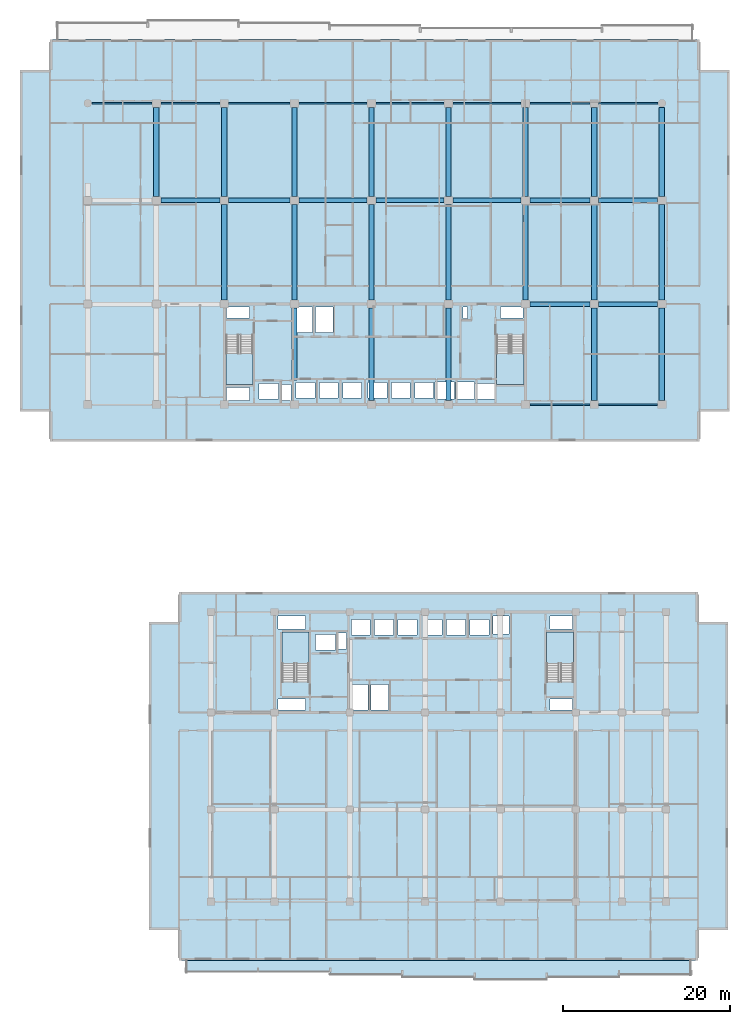
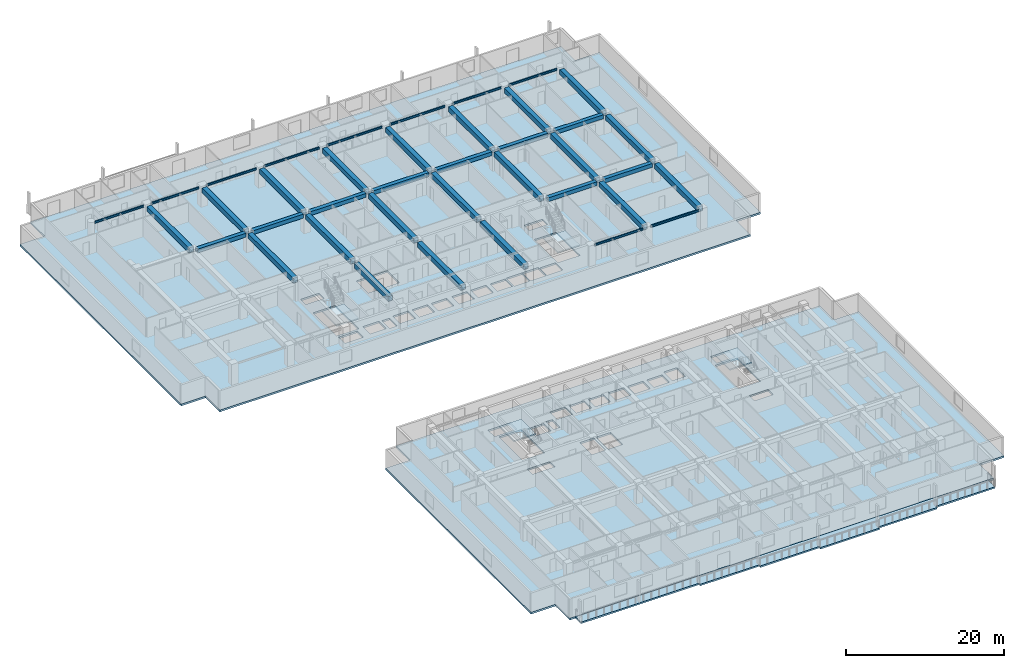
# One storey, part 2 of 23: 39 beams, 7 slabs, 4 elements without a shape of their own.
"""IFC4 building model written with IfcOpenShell, lengths in metres."""

import ifcopenshell
import ifcopenshell.guid

model = None  # the IFC model being written
_history = None  # IfcOwnerHistory: only IFC2X3 demands one
_inside = {}  # id of a spatial element -> (the spatial element, [elements in it])
_under = {}  # id of a project, library or spatial element -> (it, [spatial elements below it])
_declared = {}  # id of a project -> (the project, [libraries it declares])
_typed = {}  # id of a type object -> (the type object, [elements of that type])
_made_of = {}  # id of a material, layer set ... -> (it, [elements and type objects made of it])


def new_model(schema):
    """Start an empty IFC model of exactly this schema.

    Asked for "IFC4X3", IfcOpenShell would pick the latest addendum, in which some entities
    have other attributes; the version numbers below select the first issue.
    IFC2X3 requires an IfcOwnerHistory on every rooted entity: one is made here for all.
    """
    global model, _history
    if schema == "IFC4X3":
        model = ifcopenshell.file(schema_version=(4, 3, 0, 0))
    else:
        model = ifcopenshell.file(schema=schema)
    _inside.clear()
    _under.clear()
    _declared.clear()
    _typed.clear()
    _made_of.clear()
    _history = None
    if model.schema == "IFC2X3":
        org = make("IfcOrganization", Name="unknown")
        user = make(
            "IfcPersonAndOrganization",
            ThePerson=make("IfcPerson", FamilyName="unknown"),
            TheOrganization=org,
        )
        app = make(
            "IfcApplication",
            ApplicationDeveloper=org,
            Version="unknown",
            ApplicationFullName="unknown",
            ApplicationIdentifier="unknown",
        )
        _history = make(
            "IfcOwnerHistory",
            OwningUser=user,
            OwningApplication=app,
            ChangeAction="ADDED",
            CreationDate=0,
        )
    return model


def make(cls, **values):
    """One entity of the class cls with the attributes given. An attribute that is None is left unset."""
    return model.create_entity(
        cls, **{name: value for name, value in values.items() if value is not None}
    )


def rooted(cls, **values):
    """An entity with a GlobalId (a new one), such as an element, a storey or a relation."""
    return make(cls, GlobalId=ifcopenshell.guid.new(), OwnerHistory=_history, **values)


def si_unit(unit_type, name, prefix=None):
    """IfcSIUnit, for example si_unit("LENGTHUNIT", "METRE", prefix="MILLI")."""
    return make("IfcSIUnit", UnitType=unit_type, Prefix=prefix, Name=name)


def assignment(units):
    """IfcUnitAssignment: the units of a project."""
    return None if units is None else make("IfcUnitAssignment", Units=units)


def point(xyz):
    """IfcCartesianPoint."""
    return None if xyz is None else make("IfcCartesianPoint", Coordinates=xyz)


def direction(xyz):
    """IfcDirection."""
    return None if xyz is None else make("IfcDirection", DirectionRatios=xyz)


def frame(location, z_axis=None, x_axis=None):
    """IfcAxis2Placement3D, a coordinate frame: its origin and axes. An axis left out is left unset."""
    return make(
        "IfcAxis2Placement3D",
        Location=point(location),
        Axis=direction(z_axis),
        RefDirection=direction(x_axis),
    )


def frame_2d(location, x_axis=None):
    """IfcAxis2Placement2D, a coordinate frame in the plane: its origin and x axis."""
    return make(
        "IfcAxis2Placement2D", Location=point(location), RefDirection=direction(x_axis)
    )


def origin():
    """The frame at (0, 0, 0) with its axes left unset."""
    return frame((0.0, 0.0, 0.0))


def origin_2d():
    """The frame at (0, 0) in the plane with its x axis left unset."""
    return frame_2d((0.0, 0.0))


def place(relative_to, where):
    """IfcLocalPlacement: puts the frame where relative to a parent placement (None: the world)."""
    return make(
        "IfcLocalPlacement", PlacementRelTo=relative_to, RelativePlacement=where
    )


def context(
    kind, dimensions, precision=None, world=None, true_north=None, identifier=None
):
    """IfcGeometricRepresentationContext, for example the 3D "Model" context."""
    return make(
        "IfcGeometricRepresentationContext",
        ContextIdentifier=identifier,
        ContextType=kind,
        CoordinateSpaceDimension=dimensions,
        Precision=precision,
        WorldCoordinateSystem=world,
        TrueNorth=true_north,
    )


def subcontext(parent, identifier, kind, view, scale=None):
    """IfcGeometricRepresentationSubContext, for example "Body" below "Model"."""
    return make(
        "IfcGeometricRepresentationSubContext",
        ContextIdentifier=identifier,
        ContextType=kind,
        ParentContext=parent,
        TargetScale=scale,
        TargetView=view,
    )


def project(units=None, contexts=None):
    """IfcProject with its units and contexts."""
    return rooted(
        "IfcProject",
        Name="project",
        RepresentationContexts=contexts,
        UnitsInContext=assignment(units),
    )


def spatial(cls, under=None, at=None, **own):
    """A site, building, storey or space (cls), placed at a placement, below another one or the project."""
    s = rooted(cls, ObjectPlacement=at, **own)
    if under is not None:
        _under.setdefault(under.id(), (under, []))[1].append(s)
    return s


def polyline(points):
    """IfcPolyline through the points."""
    return make("IfcPolyline", Points=[point(p) for p in points])


def profile(cls, at=None, kind="AREA", **sizes):
    """A parametric profile (cls). Its sizes go by their IFC names, for example OverallWidth=200.0."""
    return make(cls, ProfileType=kind, Position=at, **sizes)


def rectangle(**sizes):
    """IfcRectangleProfileDef."""
    return profile("IfcRectangleProfileDef", **sizes)


def i_section(**sizes):
    """IfcIShapeProfileDef."""
    return profile("IfcIShapeProfileDef", **sizes)


def outline(outer, holes=None, kind="AREA"):
    """IfcArbitraryClosedProfileDef: a profile drawn as a closed curve; with holes, ...WithVoids."""
    if holes is None:
        return make("IfcArbitraryClosedProfileDef", ProfileType=kind, OuterCurve=outer)
    return make(
        "IfcArbitraryProfileDefWithVoids",
        ProfileType=kind,
        OuterCurve=outer,
        InnerCurves=holes,
    )


def extrude(swept, where, along, depth):
    """IfcExtrudedAreaSolid: the profile swept, set in the frame where, extruded along a direction by depth."""
    return make(
        "IfcExtrudedAreaSolid",
        SweptArea=swept,
        Position=where,
        ExtrudedDirection=direction(along),
        Depth=depth,
    )


def shape(context_of_items, identifier, shape_type, items):
    """IfcShapeRepresentation: the items that make up one representation, for example the "Body"."""
    return make(
        "IfcShapeRepresentation",
        ContextOfItems=context_of_items,
        RepresentationIdentifier=identifier,
        RepresentationType=shape_type,
        Items=items,
    )


def material(Name=None, Category=None):
    """IfcMaterial."""
    return make("IfcMaterial", Name=Name, Category=Category)


def layer(
    of_material, thickness, ventilated=None, Name=None, Category=None, Priority=None
):
    """IfcMaterialLayer: one layer of a wall or slab, of a material (None: an air gap)."""
    return make(
        "IfcMaterialLayer",
        Material=of_material,
        LayerThickness=thickness,
        IsVentilated=ventilated,
        Name=Name,
        Category=Category,
        Priority=Priority,
    )


def layer_set(layers, Name=None):
    """IfcMaterialLayerSet."""
    return make("IfcMaterialLayerSet", MaterialLayers=layers, LayerSetName=Name)


def material_profile(
    of_material, cross_section, Name=None, Category=None, Priority=None
):
    """IfcMaterialProfile: a cross section and its material."""
    return make(
        "IfcMaterialProfile",
        Name=Name,
        Material=of_material,
        Profile=cross_section,
        Priority=Priority,
        Category=Category,
    )


def profile_set(profiles, Name=None, composite=None):
    """IfcMaterialProfileSet."""
    return make(
        "IfcMaterialProfileSet",
        Name=Name,
        MaterialProfiles=profiles,
        CompositeProfile=composite,
    )


def made_of(thing, what):
    """Note that an element or type object is made of a material, layer set ...; save() writes the relation."""
    if what is not None:
        _made_of.setdefault(what.id(), (what, []))[1].append(thing)
    return thing


def type_object(cls, material=None, **own):
    """A type object (cls), such as IfcWallType, which elements share."""
    return made_of(rooted(cls, **own), material)


def element(
    cls,
    number,
    at=None,
    inside=None,
    cuts=None,
    type_object=None,
    material=None,
    context=None,
    identifier="Body",
    shape_type=None,
    held_by="IfcProductDefinitionShape",
    body=None,
    shapes=None,
    **own,
):
    """One element of the class cls, such as IfcWall. Its Tag is "e" and its number.

    at: its placement. inside: the storey or other place that contains it. cuts: it is an
    opening in that element (IfcRelVoidsElement). A single representation is given by context,
    identifier, shape_type and body (its items); several are given by shapes. held_by: the class
    of the entity that holds the representations. save() writes the other relations.
    """
    e = rooted(cls, Tag="e%d" % number, ObjectPlacement=at, **own)
    if body is not None:
        shapes = [shape(context, identifier, shape_type, body)]
    if shapes is not None:
        e.Representation = make(held_by, Representations=shapes)
    if inside is not None:
        _inside.setdefault(inside.id(), (inside, []))[1].append(e)
    if cuts is not None:
        rooted(
            "IfcRelVoidsElement", RelatingBuildingElement=cuts, RelatedOpeningElement=e
        )
    if type_object is not None:
        _typed.setdefault(type_object.id(), (type_object, []))[1].append(e)
    return made_of(e, material)


def aggregate(whole, parts):
    """IfcRelAggregates: a whole, such as a stair, and the parts it consists of."""
    return rooted("IfcRelAggregates", RelatingObject=whole, RelatedObjects=parts)


def save(model, path):
    """Write the relations noted so far, then the file.

    IfcRelAggregates (storeys below a building ...), IfcRelContainedInSpatialStructure (elements
    in a storey), IfcRelDefinesByType, IfcRelAssociatesMaterial and IfcRelDeclares: one each for
    every whole, place, type object, material and project.
    """
    for whole, parts in _under.values():
        aggregate(whole, parts)
    for where, things in _inside.values():
        rooted(
            "IfcRelContainedInSpatialStructure",
            RelatedElements=things,
            RelatingStructure=where,
        )
    for kind, things in _typed.values():
        rooted("IfcRelDefinesByType", RelatedObjects=things, RelatingType=kind)
    for what, things in _made_of.values():
        rooted("IfcRelAssociatesMaterial", RelatedObjects=things, RelatingMaterial=what)
    for by, libraries in _declared.values():
        rooted("IfcRelDeclares", RelatingContext=by, RelatedDefinitions=libraries)
    model.write(path)


model = new_model("IFC4")

# Units and contexts
model_context = context("Model", 3, precision=1e-05, world=origin(), true_north=direction((0.0, 1.0)))
body_context = subcontext(model_context, "Body", "Model", "MODEL_VIEW")
ifc_project = project(units=[si_unit("LENGTHUNIT", "METRE"), si_unit("AREAUNIT", "SQUARE_METRE"), si_unit("VOLUMEUNIT", "CUBIC_METRE"), si_unit("PLANEANGLEUNIT", "RADIAN"), si_unit("MASSUNIT", "GRAM", prefix="KILO")], contexts=[model_context])

# Site, building, storey
site_placement = place(None, origin())
site = spatial("IfcSite", under=ifc_project, at=site_placement, CompositionType="ELEMENT")
building_placement = place(site_placement, origin())
building = spatial("IfcBuilding", under=site, at=building_placement, Name="Korimba Cascade Residences", CompositionType="ELEMENT")
storey_placement = place(building_placement, frame((0.0, 0.0, 69.5)))
storey = spatial("IfcBuildingStorey", under=building, at=storey_placement, Name="L19", CompositionType="ELEMENT", Elevation=69.5)

# Beams
ifc_material_1 = material(Name="Concrete C50/60", Category="concrete")
ifc_material_profile_1 = material_profile(ifc_material_1, rectangle(XDim=0.550048828125, YDim=0.60009765625, at=origin_2d()), Name="Concrete C50/60")
ifc_profile_set_1 = profile_set([ifc_material_profile_1], Name="Concrete C50/60")
beam_type_1 = type_object("IfcBeamType", Name="BM-RC-B600", PredefinedType="BEAM", material=ifc_profile_set_1)
beam_1_placement = place(storey_placement, frame((112.625, 67.199951171875, 2.669921875), z_axis=(1.0, 0.0, 0.0), x_axis=(0.0, 1.0, 0.0)))
element("IfcBeam", 1, at=beam_1_placement, inside=storey, type_object=beam_type_1, Name="L19 T1 E-W Girder Y2 Bay 7", PredefinedType="BEAM", context=body_context, shape_type="SweptSolid", body=[
    extrude(rectangle(XDim=0.550048828125, YDim=0.60009765625, at=origin_2d()), origin(), (0.0, 0.0, 1.0), 7.14990234375),
])
for number, where, z_axis, x_axis, name in (
    (2, (120.824951171875, 67.199951171875, 2.669921875), (1.0, 0.0, 0.0), (0.0, 1.0, 0.0), "L19 T1 E-W Girder Y2 Bay 8"),
    (3, (68.52490234375, 79.60009765625, 2.669921875), (1.0, 0.0, 0.0), (0.0, 1.0, 0.0), "L19 T1 E-W Girder Y3 Bay 2"),
):
    element("IfcBeam", number, at=place(storey_placement, frame(where, z_axis=z_axis, x_axis=x_axis)), inside=storey, type_object=beam_type_1, Name=name, PredefinedType="BEAM", context=body_context, shape_type="SweptSolid", body=[
        extrude(rectangle(XDim=0.550048828125, YDim=0.60009765625, at=origin_2d()), origin(), (0.0, 0.0, 1.0), 7.050048828125),
    ])
beam_2_placement = place(storey_placement, frame((76.625, 79.60009765625, 2.669921875), z_axis=(1.0, 0.0, 0.0), x_axis=(0.0, 1.0, 0.0)))
element("IfcBeam", 4, at=beam_2_placement, inside=storey, type_object=beam_type_1, Name="L19 T1 E-W Girder Y3 Bay 3", PredefinedType="BEAM", context=body_context, shape_type="SweptSolid", body=[
    extrude(rectangle(XDim=0.550048828125, YDim=0.60009765625, at=origin_2d()), origin(), (0.0, 0.0, 1.0), 7.35009765625),
])
beam_3_placement = place(storey_placement, frame((85.02490234375, 79.60009765625, 2.669921875), z_axis=(1.0, 0.0, 0.0), x_axis=(0.0, 1.0, 0.0)))
element("IfcBeam", 5, at=beam_3_placement, inside=storey, type_object=beam_type_1, Name="L19 T1 E-W Girder Y3 Bay 4", PredefinedType="BEAM", context=body_context, shape_type="SweptSolid", body=[
    extrude(rectangle(XDim=0.550048828125, YDim=0.60009765625, at=origin_2d()), origin(), (0.0, 0.0, 1.0), 8.150146484375),
])
for number, where, z_axis, x_axis, name in (
    (6, (94.22509765625, 79.60009765625, 2.669921875), (1.0, 0.0, 0.0), (0.0, 1.0, 0.0), "L19 T1 E-W Girder Y3 Bay 5"),
    (7, (103.425048828125, 79.60009765625, 2.669921875), (1.0, 0.0, 0.0), (0.0, 1.0, 0.0), "L19 T1 E-W Girder Y3 Bay 6"),
):
    element("IfcBeam", number, at=place(storey_placement, frame(where, z_axis=z_axis, x_axis=x_axis)), inside=storey, type_object=beam_type_1, Name=name, PredefinedType="BEAM", context=body_context, shape_type="SweptSolid", body=[
        extrude(rectangle(XDim=0.550048828125, YDim=0.60009765625, at=origin_2d()), origin(), (0.0, 0.0, 1.0), 8.14990234375),
    ])
beam_4_placement = place(storey_placement, frame((112.625, 79.60009765625, 2.669921875), z_axis=(1.0, 0.0, 0.0), x_axis=(0.0, 1.0, 0.0)))
element("IfcBeam", 8, at=beam_4_placement, inside=storey, type_object=beam_type_1, Name="L19 T1 E-W Girder Y3 Bay 7", PredefinedType="BEAM", context=body_context, shape_type="SweptSolid", body=[
    extrude(rectangle(XDim=0.550048828125, YDim=0.60009765625, at=origin_2d()), origin(), (0.0, 0.0, 1.0), 7.14990234375),
])
beam_5_placement = place(storey_placement, frame((120.824951171875, 79.60009765625, 2.669921875), z_axis=(1.0, 0.0, 0.0), x_axis=(0.0, 1.0, 0.0)))
element("IfcBeam", 9, at=beam_5_placement, inside=storey, type_object=beam_type_1, Name="L19 T1 E-W Girder Y3 Bay 8", PredefinedType="BEAM", context=body_context, shape_type="SweptSolid", body=[
    extrude(rectangle(XDim=0.550048828125, YDim=0.60009765625, at=origin_2d()), origin(), (0.0, 0.0, 1.0), 7.050048828125),
])
ifc_material_profile_2 = material_profile(ifc_material_1, rectangle(XDim=0.64990234375, YDim=0.75, at=origin_2d()), Name="Concrete C50/60")
ifc_profile_set_2 = profile_set([ifc_material_profile_2], Name="Concrete C50/60")
beam_type_2 = type_object("IfcBeamType", Name="BM-RC-G750", PredefinedType="BEAM", material=ifc_profile_set_2)
beam_6_placement = place(storey_placement, frame((68.0, 80.074951171875, 2.594970703125), z_axis=(0.0, 1.0, 0.0), x_axis=(-1.0, 0.0, 0.0)))
element("IfcBeam", 10, at=beam_6_placement, inside=storey, type_object=beam_type_2, Name="L19 T1 N-S Girder X2 Seg 3", PredefinedType="BEAM", context=body_context, shape_type="SweptSolid", body=[
    extrude(rectangle(XDim=0.64990234375, YDim=0.75, at=origin_2d()), origin(), (0.0, 0.0, 1.0), 10.650146484375),
])
beam_7_placement = place(storey_placement, frame((76.10009765625, 67.675048828125, 2.594970703125), z_axis=(0.0, 1.0, 0.0), x_axis=(-1.0, 0.0, 0.0)))
element("IfcBeam", 11, at=beam_7_placement, inside=storey, type_object=beam_type_2, Name="L19 T1 N-S Girder X3 Seg 2", PredefinedType="BEAM", context=body_context, shape_type="SweptSolid", body=[
    extrude(rectangle(XDim=0.64990234375, YDim=0.75, at=origin_2d()), origin(), (0.0, 0.0, 1.0), 11.449951171875),
])
beam_8_placement = place(storey_placement, frame((76.10009765625, 80.074951171875, 2.594970703125), z_axis=(0.0, 1.0, 0.0), x_axis=(-1.0, 0.0, 0.0)))
element("IfcBeam", 12, at=beam_8_placement, inside=storey, type_object=beam_type_2, Name="L19 T1 N-S Girder X3 Seg 3", PredefinedType="BEAM", context=body_context, shape_type="SweptSolid", body=[
    extrude(rectangle(XDim=0.64990234375, YDim=0.75, at=origin_2d()), origin(), (0.0, 0.0, 1.0), 10.650146484375),
])
beam_9_placement = place(storey_placement, frame((84.5, 58.159912109375, 2.594970703125), z_axis=(0.0, 1.0, 0.0), x_axis=(-1.0, 0.0, 0.0)))
element("IfcBeam", 13, at=beam_9_placement, inside=storey, type_object=beam_type_2, Name="L19 T1 N-S Girder X4 Seg 1", PredefinedType="BEAM", context=body_context, shape_type="SweptSolid", body=[
    extrude(rectangle(XDim=0.64990234375, YDim=0.75, at=origin_2d()), origin(), (0.0, 0.0, 1.0), 8.565185546875),
])
beam_10_placement = place(storey_placement, frame((84.5, 67.675048828125, 2.594970703125), z_axis=(0.0, 1.0, 0.0), x_axis=(-1.0, 0.0, 0.0)))
element("IfcBeam", 14, at=beam_10_placement, inside=storey, type_object=beam_type_2, Name="L19 T1 N-S Girder X4 Seg 2", PredefinedType="BEAM", context=body_context, shape_type="SweptSolid", body=[
    extrude(rectangle(XDim=0.64990234375, YDim=0.75, at=origin_2d()), origin(), (0.0, 0.0, 1.0), 11.449951171875),
])
beam_11_placement = place(storey_placement, frame((84.5, 80.074951171875, 2.594970703125), z_axis=(0.0, 1.0, 0.0), x_axis=(-1.0, 0.0, 0.0)))
element("IfcBeam", 15, at=beam_11_placement, inside=storey, type_object=beam_type_2, Name="L19 T1 N-S Girder X4 Seg 3", PredefinedType="BEAM", context=body_context, shape_type="SweptSolid", body=[
    extrude(rectangle(XDim=0.64990234375, YDim=0.75, at=origin_2d()), origin(), (0.0, 0.0, 1.0), 10.650146484375),
])
beam_12_placement = place(storey_placement, frame((93.699951171875, 55.675048828125, 2.594970703125), z_axis=(0.0, 1.0, 0.0), x_axis=(-1.0, 0.0, 0.0)))
element("IfcBeam", 16, at=beam_12_placement, inside=storey, type_object=beam_type_2, Name="L19 T1 N-S Girder X5 Seg 1", PredefinedType="BEAM", context=body_context, shape_type="SweptSolid", body=[
    extrude(rectangle(XDim=0.64990234375, YDim=0.75, at=origin_2d()), origin(), (0.0, 0.0, 1.0), 11.050048828125),
])
beam_13_placement = place(storey_placement, frame((93.699951171875, 67.675048828125, 2.594970703125), z_axis=(0.0, 1.0, 0.0), x_axis=(-1.0, 0.0, 0.0)))
element("IfcBeam", 17, at=beam_13_placement, inside=storey, type_object=beam_type_2, Name="L19 T1 N-S Girder X5 Seg 2", PredefinedType="BEAM", context=body_context, shape_type="SweptSolid", body=[
    extrude(rectangle(XDim=0.64990234375, YDim=0.75, at=origin_2d()), origin(), (0.0, 0.0, 1.0), 11.449951171875),
])
beam_14_placement = place(storey_placement, frame((93.699951171875, 80.074951171875, 2.594970703125), z_axis=(0.0, 1.0, 0.0), x_axis=(-1.0, 0.0, 0.0)))
element("IfcBeam", 18, at=beam_14_placement, inside=storey, type_object=beam_type_2, Name="L19 T1 N-S Girder X5 Seg 3", PredefinedType="BEAM", context=body_context, shape_type="SweptSolid", body=[
    extrude(rectangle(XDim=0.64990234375, YDim=0.75, at=origin_2d()), origin(), (0.0, 0.0, 1.0), 10.650146484375),
])
beam_15_placement = place(storey_placement, frame((102.89990234375, 55.675048828125, 2.594970703125), z_axis=(0.0, 1.0, 0.0), x_axis=(-1.0, 0.0, 0.0)))
element("IfcBeam", 19, at=beam_15_placement, inside=storey, type_object=beam_type_2, Name="L19 T1 N-S Girder X6 Seg 1", PredefinedType="BEAM", context=body_context, shape_type="SweptSolid", body=[
    extrude(rectangle(XDim=0.64990234375, YDim=0.75, at=origin_2d()), origin(), (0.0, 0.0, 1.0), 11.050048828125),
])
beam_16_placement = place(storey_placement, frame((102.89990234375, 67.675048828125, 2.594970703125), z_axis=(0.0, 1.0, 0.0), x_axis=(-1.0, 0.0, 0.0)))
element("IfcBeam", 20, at=beam_16_placement, inside=storey, type_object=beam_type_2, Name="L19 T1 N-S Girder X6 Seg 2", PredefinedType="BEAM", context=body_context, shape_type="SweptSolid", body=[
    extrude(rectangle(XDim=0.64990234375, YDim=0.75, at=origin_2d()), origin(), (0.0, 0.0, 1.0), 11.449951171875),
])
beam_17_placement = place(storey_placement, frame((102.89990234375, 80.074951171875, 2.594970703125), z_axis=(0.0, 1.0, 0.0), x_axis=(-1.0, 0.0, 0.0)))
element("IfcBeam", 21, at=beam_17_placement, inside=storey, type_object=beam_type_2, Name="L19 T1 N-S Girder X6 Seg 3", PredefinedType="BEAM", context=body_context, shape_type="SweptSolid", body=[
    extrude(rectangle(XDim=0.64990234375, YDim=0.75, at=origin_2d()), origin(), (0.0, 0.0, 1.0), 10.650146484375),
])
beam_18_placement = place(storey_placement, frame((112.10009765625, 67.675048828125, 2.594970703125), z_axis=(0.0, 1.0, 0.0), x_axis=(-1.0, 0.0, 0.0)))
element("IfcBeam", 22, at=beam_18_placement, inside=storey, type_object=beam_type_2, Name="L19 T1 N-S Girder X7 Seg 2", PredefinedType="BEAM", context=body_context, shape_type="SweptSolid", body=[
    extrude(rectangle(XDim=0.64990234375, YDim=0.75, at=origin_2d()), origin(), (0.0, 0.0, 1.0), 11.449951171875),
])
beam_19_placement = place(storey_placement, frame((112.10009765625, 80.074951171875, 2.594970703125), z_axis=(0.0, 1.0, 0.0), x_axis=(-1.0, 0.0, 0.0)))
element("IfcBeam", 23, at=beam_19_placement, inside=storey, type_object=beam_type_2, Name="L19 T1 N-S Girder X7 Seg 3", PredefinedType="BEAM", context=body_context, shape_type="SweptSolid", body=[
    extrude(rectangle(XDim=0.64990234375, YDim=0.75, at=origin_2d()), origin(), (0.0, 0.0, 1.0), 10.650146484375),
])
beam_20_placement = place(storey_placement, frame((120.300048828125, 55.675048828125, 2.594970703125), z_axis=(0.0, 1.0, 0.0), x_axis=(-1.0, 0.0, 0.0)))
element("IfcBeam", 24, at=beam_20_placement, inside=storey, type_object=beam_type_2, Name="L19 T1 N-S Girder X8 Seg 1", PredefinedType="BEAM", context=body_context, shape_type="SweptSolid", body=[
    extrude(rectangle(XDim=0.64990234375, YDim=0.75, at=origin_2d()), origin(), (0.0, 0.0, 1.0), 11.050048828125),
])
beam_21_placement = place(storey_placement, frame((120.300048828125, 67.675048828125, 2.594970703125), z_axis=(0.0, 1.0, 0.0), x_axis=(-1.0, 0.0, 0.0)))
element("IfcBeam", 25, at=beam_21_placement, inside=storey, type_object=beam_type_2, Name="L19 T1 N-S Girder X8 Seg 2", PredefinedType="BEAM", context=body_context, shape_type="SweptSolid", body=[
    extrude(rectangle(XDim=0.64990234375, YDim=0.75, at=origin_2d()), origin(), (0.0, 0.0, 1.0), 11.449951171875),
])
beam_22_placement = place(storey_placement, frame((120.300048828125, 80.074951171875, 2.594970703125), z_axis=(0.0, 1.0, 0.0), x_axis=(-1.0, 0.0, 0.0)))
element("IfcBeam", 26, at=beam_22_placement, inside=storey, type_object=beam_type_2, Name="L19 T1 N-S Girder X8 Seg 3", PredefinedType="BEAM", context=body_context, shape_type="SweptSolid", body=[
    extrude(rectangle(XDim=0.64990234375, YDim=0.75, at=origin_2d()), origin(), (0.0, 0.0, 1.0), 10.650146484375),
])
beam_23_placement = place(storey_placement, frame((128.39990234375, 55.675048828125, 2.594970703125), z_axis=(0.0, 1.0, 0.0), x_axis=(-1.0, 0.0, 0.0)))
element("IfcBeam", 27, at=beam_23_placement, inside=storey, type_object=beam_type_2, Name="L19 T1 N-S Girder X9 Seg 1", PredefinedType="BEAM", context=body_context, shape_type="SweptSolid", body=[
    extrude(rectangle(XDim=0.64990234375, YDim=0.75, at=origin_2d()), origin(), (0.0, 0.0, 1.0), 11.050048828125),
])
beam_24_placement = place(storey_placement, frame((128.39990234375, 67.675048828125, 2.594970703125), z_axis=(0.0, 1.0, 0.0), x_axis=(-1.0, 0.0, 0.0)))
element("IfcBeam", 28, at=beam_24_placement, inside=storey, type_object=beam_type_2, Name="L19 T1 N-S Girder X9 Seg 2", PredefinedType="BEAM", context=body_context, shape_type="SweptSolid", body=[
    extrude(rectangle(XDim=0.64990234375, YDim=0.75, at=origin_2d()), origin(), (0.0, 0.0, 1.0), 11.449951171875),
])
beam_25_placement = place(storey_placement, frame((128.39990234375, 80.074951171875, 2.594970703125), z_axis=(0.0, 1.0, 0.0), x_axis=(-1.0, 0.0, 0.0)))
element("IfcBeam", 29, at=beam_25_placement, inside=storey, type_object=beam_type_2, Name="L19 T1 N-S Girder X9 Seg 3", PredefinedType="BEAM", context=body_context, shape_type="SweptSolid", body=[
    extrude(rectangle(XDim=0.64990234375, YDim=0.75, at=origin_2d()), origin(), (0.0, 0.0, 1.0), 10.650146484375),
])
ifc_material_2 = material(Name="Steel S355", Category="steel")
ifc_material_profile_3 = material_profile(ifc_material_2, i_section(OverallWidth=0.165771484375, OverallDepth=0.306640625, WebThickness=0.006591796875, FlangeThickness=0.01171875, FilletRadius=0.0087890625, at=origin_2d()), Name="Steel S355")
ifc_profile_set_3 = profile_set([ifc_material_profile_3], Name="Steel S355")
beam_type_3 = type_object("IfcBeamType", Name="BM-STL-UB305", PredefinedType="SPANDREL", material=ifc_profile_set_3)
beam_26_placement = place(storey_placement, frame((112.625, 55.199951171875, 2.816650390625), z_axis=(1.0, 0.0, 0.0), x_axis=(0.0, 1.0, 0.0)))
element("IfcBeam", 30, at=beam_26_placement, inside=storey, type_object=beam_type_3, Name="L19 T1 E-W Girder Y1 Bay 7", PredefinedType="SPANDREL", context=body_context, shape_type="SweptSolid", body=[
    extrude(i_section(OverallWidth=0.165771484375, OverallDepth=0.306640625, WebThickness=0.006591796875, FlangeThickness=0.01171875, FilletRadius=0.0087890625, at=origin_2d()), origin(), (0.0, 0.0, 1.0), 7.14990234375),
])
beam_27_placement = place(storey_placement, frame((120.824951171875, 55.199951171875, 2.816650390625), z_axis=(1.0, 0.0, 0.0), x_axis=(0.0, 1.0, 0.0)))
element("IfcBeam", 31, at=beam_27_placement, inside=storey, type_object=beam_type_3, Name="L19 T1 E-W Girder Y1 Bay 8", PredefinedType="SPANDREL", context=body_context, shape_type="SweptSolid", body=[
    extrude(i_section(OverallWidth=0.165771484375, OverallDepth=0.306640625, WebThickness=0.006591796875, FlangeThickness=0.01171875, FilletRadius=0.0087890625, at=origin_2d()), origin(), (0.0, 0.0, 1.0), 7.050048828125),
])
beam_28_placement = place(storey_placement, frame((60.27490234375, 91.199951171875, 2.816650390625), z_axis=(1.0, 0.0, 0.0), x_axis=(0.0, 1.0, 0.0)))
element("IfcBeam", 32, at=beam_28_placement, inside=storey, type_object=beam_type_3, Name="L19 T1 E-W Girder Y4 Bay 1", PredefinedType="SPANDREL", context=body_context, shape_type="SweptSolid", body=[
    extrude(i_section(OverallWidth=0.165771484375, OverallDepth=0.306640625, WebThickness=0.006591796875, FlangeThickness=0.01171875, FilletRadius=0.0087890625, at=origin_2d()), origin(), (0.0, 0.0, 1.0), 7.2001953125),
])
beam_29_placement = place(storey_placement, frame((68.52490234375, 91.199951171875, 2.816650390625), z_axis=(1.0, 0.0, 0.0), x_axis=(0.0, 1.0, 0.0)))
element("IfcBeam", 33, at=beam_29_placement, inside=storey, type_object=beam_type_3, Name="L19 T1 E-W Girder Y4 Bay 2", PredefinedType="SPANDREL", context=body_context, shape_type="SweptSolid", body=[
    extrude(i_section(OverallWidth=0.165771484375, OverallDepth=0.306640625, WebThickness=0.006591796875, FlangeThickness=0.01171875, FilletRadius=0.0087890625, at=origin_2d()), origin(), (0.0, 0.0, 1.0), 7.050048828125),
])
beam_30_placement = place(storey_placement, frame((76.625, 91.199951171875, 2.816650390625), z_axis=(1.0, 0.0, 0.0), x_axis=(0.0, 1.0, 0.0)))
element("IfcBeam", 34, at=beam_30_placement, inside=storey, type_object=beam_type_3, Name="L19 T1 E-W Girder Y4 Bay 3", PredefinedType="SPANDREL", context=body_context, shape_type="SweptSolid", body=[
    extrude(i_section(OverallWidth=0.165771484375, OverallDepth=0.306640625, WebThickness=0.006591796875, FlangeThickness=0.01171875, FilletRadius=0.0087890625, at=origin_2d()), origin(), (0.0, 0.0, 1.0), 7.35009765625),
])
beam_31_placement = place(storey_placement, frame((85.02490234375, 91.199951171875, 2.816650390625), z_axis=(1.0, 0.0, 0.0), x_axis=(0.0, 1.0, 0.0)))
element("IfcBeam", 35, at=beam_31_placement, inside=storey, type_object=beam_type_3, Name="L19 T1 E-W Girder Y4 Bay 4", PredefinedType="SPANDREL", context=body_context, shape_type="SweptSolid", body=[
    extrude(i_section(OverallWidth=0.165771484375, OverallDepth=0.306640625, WebThickness=0.006591796875, FlangeThickness=0.01171875, FilletRadius=0.0087890625, at=origin_2d()), origin(), (0.0, 0.0, 1.0), 8.150146484375),
])
for number, where, z_axis, x_axis, name in (
    (36, (94.22509765625, 91.199951171875, 2.816650390625), (1.0, 0.0, 0.0), (0.0, 1.0, 0.0), "L19 T1 E-W Girder Y4 Bay 5"),
    (37, (103.425048828125, 91.199951171875, 2.816650390625), (1.0, 0.0, 0.0), (0.0, 1.0, 0.0), "L19 T1 E-W Girder Y4 Bay 6"),
):
    element("IfcBeam", number, at=place(storey_placement, frame(where, z_axis=z_axis, x_axis=x_axis)), inside=storey, type_object=beam_type_3, Name=name, PredefinedType="SPANDREL", context=body_context, shape_type="SweptSolid", body=[
        extrude(i_section(OverallWidth=0.165771484375, OverallDepth=0.306640625, WebThickness=0.006591796875, FlangeThickness=0.01171875, FilletRadius=0.0087890625, at=origin_2d()), origin(), (0.0, 0.0, 1.0), 8.14990234375),
    ])
beam_32_placement = place(storey_placement, frame((112.625, 91.199951171875, 2.816650390625), z_axis=(1.0, 0.0, 0.0), x_axis=(0.0, 1.0, 0.0)))
element("IfcBeam", 38, at=beam_32_placement, inside=storey, type_object=beam_type_3, Name="L19 T1 E-W Girder Y4 Bay 7", PredefinedType="SPANDREL", context=body_context, shape_type="SweptSolid", body=[
    extrude(i_section(OverallWidth=0.165771484375, OverallDepth=0.306640625, WebThickness=0.006591796875, FlangeThickness=0.01171875, FilletRadius=0.0087890625, at=origin_2d()), origin(), (0.0, 0.0, 1.0), 7.14990234375),
])
beam_33_placement = place(storey_placement, frame((120.824951171875, 91.199951171875, 2.816650390625), z_axis=(1.0, 0.0, 0.0), x_axis=(0.0, 1.0, 0.0)))
element("IfcBeam", 39, at=beam_33_placement, inside=storey, type_object=beam_type_3, Name="L19 T1 E-W Girder Y4 Bay 8", PredefinedType="SPANDREL", context=body_context, shape_type="SweptSolid", body=[
    extrude(i_section(OverallWidth=0.165771484375, OverallDepth=0.306640625, WebThickness=0.006591796875, FlangeThickness=0.01171875, FilletRadius=0.0087890625, at=origin_2d()), origin(), (0.0, 0.0, 1.0), 7.10009765625),
])

# Stair, slab
stair_type_1 = type_object("IfcStairType", Name="STR-W1-18R-1806", PredefinedType="HALF_TURN_STAIR", material=ifc_material_1)
stair_1_placement = place(storey_placement, origin())
stair_1 = element("IfcStair", 40, at=stair_1_placement, inside=storey, type_object=stair_type_1, Name="L19 Tower 1 West Fire Stair ST-W1", PredefinedType="HALF_TURN_STAIR")
ifc_layer_1 = layer(ifc_material_1, 0.199951171875)
ifc_layer_set_1 = layer_set([ifc_layer_1], Name="Concrete C50/60")
slab_type_1 = type_object("IfcSlabType", Name="SLB-LND-220", PredefinedType="LANDING", material=ifc_layer_set_1)
slab_1_placement = place(storey_placement, frame((0.0, 0.0, 1.425048828125)))
slab_1 = element("IfcSlab", 41, at=slab_1_placement, type_object=slab_type_1, Name="ST-W1 landing 1", PredefinedType="LANDING", context=body_context, shape_type="SweptSolid", body=[
    extrude(outline(polyline([(76.300048828125, 61.31005859375), (76.300048828125, 57.60009765625), (79.5400390625, 57.60009765625), (79.5400390625, 61.31005859375), (76.300048828125, 61.31005859375)])), origin(), (0.0, 0.0, 1.0), 0.199951171875),
])
aggregate(stair_1, [slab_1])

stair_type_2 = type_object("IfcStairType", Name="STR-W2-18R-1806", PredefinedType="HALF_TURN_STAIR", material=ifc_material_1)
stair_2_placement = place(storey_placement, origin())
stair_2 = element("IfcStair", 42, at=stair_2_placement, inside=storey, type_object=stair_type_2, Name="L19 Tower 1 East Fire Stair ST-W2", PredefinedType="HALF_TURN_STAIR")
slab_2_placement = place(storey_placement, frame((0.0, 0.0, 1.425048828125)))
slab_2 = element("IfcSlab", 43, at=slab_2_placement, type_object=slab_type_1, Name="ST-W2 landing 1", PredefinedType="LANDING", context=body_context, shape_type="SweptSolid", body=[
    extrude(outline(polyline([(108.659912109375, 61.31005859375), (108.659912109375, 57.60009765625), (111.89990234375, 57.60009765625), (111.89990234375, 61.31005859375), (108.659912109375, 61.31005859375)])), origin(), (0.0, 0.0, 1.0), 0.199951171875),
])
aggregate(stair_2, [slab_2])

stair_type_3 = type_object("IfcStairType", Name="STR-E1-18R-1806", PredefinedType="HALF_TURN_STAIR", material=ifc_material_1)
stair_3_placement = place(storey_placement, origin())
stair_3 = element("IfcStair", 44, at=stair_3_placement, inside=storey, type_object=stair_type_3, Name="L19 Tower 2 West Fire Stair ST-E1", PredefinedType="HALF_TURN_STAIR")
slab_3_placement = place(storey_placement, frame((0.0, 0.0, 1.425048828125)))
slab_3 = element("IfcSlab", 45, at=slab_3_placement, type_object=slab_type_1, Name="ST-E1 landing 1", PredefinedType="LANDING", context=body_context, shape_type="SweptSolid", body=[
    extrude(outline(polyline([(86.239990234375, 24.2900390625), (86.239990234375, 28.0), (83.0, 28.0), (83.0, 24.2900390625), (86.239990234375, 24.2900390625)])), origin(), (0.0, 0.0, 1.0), 0.199951171875),
])
aggregate(stair_3, [slab_3])

stair_type_4 = type_object("IfcStairType", Name="STR-E2-18R-1806", PredefinedType="HALF_TURN_STAIR", material=ifc_material_1)
stair_4_placement = place(storey_placement, origin())
stair_4 = element("IfcStair", 46, at=stair_4_placement, inside=storey, type_object=stair_type_4, Name="L19 Tower 2 East Fire Stair ST-E2", PredefinedType="HALF_TURN_STAIR")
slab_4_placement = place(storey_placement, frame((0.0, 0.0, 1.425048828125)))
slab_4 = element("IfcSlab", 47, at=slab_4_placement, type_object=slab_type_1, Name="ST-E2 landing 1", PredefinedType="LANDING", context=body_context, shape_type="SweptSolid", body=[
    extrude(outline(polyline([(117.840087890625, 24.2900390625), (117.840087890625, 28.0), (114.60009765625, 28.0), (114.60009765625, 24.2900390625), (117.840087890625, 24.2900390625)])), origin(), (0.0, 0.0, 1.0), 0.199951171875),
])
aggregate(stair_4, [slab_4])

# Slabs
ifc_material_3 = material(Name="Precast concrete C40/50", Category="concrete")
ifc_layer_2 = layer(ifc_material_3, 0.239990234375)
ifc_layer_set_2 = layer_set([ifc_layer_2], Name="Precast concrete C40/50")
slab_type_2 = type_object("IfcSlabType", Name="SLB-LOG-240", PredefinedType="FLOOR", material=ifc_layer_set_2)
slab_5_placement = place(storey_placement, frame((0.0, 0.0, -0.239990234375)))
element("IfcSlab", 48, at=slab_5_placement, inside=storey, type_object=slab_type_2, Name="L19 Tower 2 South Loggia Slab", PredefinedType="FLOOR", context=body_context, shape_type="SweptSolid", body=[
    extrude(outline(polyline([(71.5, -12.64990234375), (88.757080078125, -12.64990234375), (88.757080078125, -12.949951171875), (97.3857421875, -12.949951171875), (97.3857421875, -13.25), (106.014404296875, -13.25), (106.014404296875, -13.550048828125), (114.642822265625, -13.550048828125), (114.642822265625, -13.25), (123.271484375, -13.25), (123.271484375, -12.949951171875), (131.89990234375, -12.949951171875), (131.89990234375, -11.199951171875), (71.5, -11.199951171875), (71.5, -12.64990234375)])), origin(), (0.0, 0.0, 1.0), 0.239990234375),
])
ifc_layer_3 = layer(ifc_material_1, 0.280029296875)
ifc_layer_set_3 = layer_set([ifc_layer_3], Name="Concrete C50/60")
slab_type_3 = type_object("IfcSlabType", Name="SLB-TYP-280", PredefinedType="FLOOR", material=ifc_layer_set_3)
slab_6_placement = place(storey_placement, frame((0.0, 0.0, -0.280029296875)))
element("IfcSlab", 49, at=slab_6_placement, inside=storey, type_object=slab_type_3, Name="L19 Tower 1 Floor Slab", PredefinedType="FLOOR", context=body_context, shape_type="SweptSolid", body=[
    extrude(outline(polyline([(55.300048828125, 50.800048828125), (132.89990234375, 50.800048828125), (132.89990234375, 54.39990234375), (136.5, 54.39990234375), (136.5, 95.199951171875), (132.89990234375, 95.199951171875), (132.89990234375, 98.800048828125), (55.300048828125, 98.800048828125), (55.300048828125, 95.199951171875), (51.699951171875, 95.199951171875), (51.699951171875, 54.39990234375), (55.300048828125, 54.39990234375), (55.300048828125, 50.800048828125)]), holes=[polyline([(76.300048828125, 63.514892578125), (76.300048828125, 57.60009765625), (79.5400390625, 57.60009765625), (79.5400390625, 63.514892578125), (76.300048828125, 63.514892578125)]), polyline([(108.659912109375, 63.514892578125), (108.659912109375, 57.60009765625), (111.89990234375, 57.60009765625), (111.89990234375, 63.514892578125), (108.659912109375, 63.514892578125)]), polyline([(80.22998046875, 55.8798828125), (82.570068359375, 55.8798828125), (82.570068359375, 57.719970703125), (80.22998046875, 57.719970703125), (80.22998046875, 55.8798828125)]), polyline([(106.080078125, 55.8798828125), (108.419921875, 55.8798828125), (108.419921875, 57.719970703125), (106.080078125, 57.719970703125), (106.080078125, 55.8798828125)]), polyline([(84.679931640625, 55.97998046875), (86.919921875, 55.97998046875), (86.919921875, 57.820068359375), (84.679931640625, 57.820068359375), (84.679931640625, 55.97998046875)]), polyline([(87.47998046875, 55.97998046875), (89.719970703125, 55.97998046875), (89.719970703125, 57.820068359375), (87.47998046875, 57.820068359375), (87.47998046875, 55.97998046875)]), polyline([(90.280029296875, 55.97998046875), (92.52001953125, 55.97998046875), (92.52001953125, 57.820068359375), (90.280029296875, 57.820068359375), (90.280029296875, 55.97998046875)]), polyline([(93.280029296875, 55.97998046875), (95.52001953125, 55.97998046875), (95.52001953125, 57.820068359375), (93.280029296875, 57.820068359375), (93.280029296875, 55.97998046875)]), polyline([(96.080078125, 55.97998046875), (98.320068359375, 55.97998046875), (98.320068359375, 57.820068359375), (96.080078125, 57.820068359375), (96.080078125, 55.97998046875)]), polyline([(98.8798828125, 55.97998046875), (101.1201171875, 55.97998046875), (101.1201171875, 57.820068359375), (98.8798828125, 57.820068359375), (98.8798828125, 55.97998046875)]), polyline([(101.304931640625, 55.8798828125), (103.594970703125, 55.8798828125), (103.594970703125, 57.919921875), (101.304931640625, 57.919921875), (101.304931640625, 55.8798828125)]), polyline([(103.705078125, 55.8798828125), (105.9951171875, 55.8798828125), (105.9951171875, 57.919921875), (103.705078125, 57.919921875), (103.705078125, 55.8798828125)]), polyline([(82.97998046875, 55.679931640625), (84.080078125, 55.679931640625), (84.080078125, 57.6201171875), (82.97998046875, 57.6201171875), (82.97998046875, 55.679931640625)]), polyline([(76.39990234375, 65.56005859375), (79.10009765625, 65.56005859375), (79.10009765625, 66.8798828125), (76.39990234375, 66.8798828125), (76.39990234375, 65.56005859375)]), polyline([(76.39990234375, 55.679931640625), (79.10009765625, 55.679931640625), (79.10009765625, 57.239990234375), (76.39990234375, 57.239990234375), (76.39990234375, 55.679931640625)]), polyline([(84.530029296875, 63.820068359375), (86.6201171875, 63.820068359375), (86.6201171875, 66.8798828125), (84.530029296875, 66.8798828125), (84.530029296875, 63.820068359375)]), polyline([(86.97998046875, 63.820068359375), (89.070068359375, 63.820068359375), (89.070068359375, 66.8798828125), (86.97998046875, 66.8798828125), (86.97998046875, 63.820068359375)]), polyline([(104.6201171875, 65.4599609375), (105.179931640625, 65.4599609375), (105.179931640625, 66.8798828125), (104.6201171875, 66.8798828125), (104.6201171875, 65.4599609375)]), polyline([(109.080078125, 65.56005859375), (111.800048828125, 65.56005859375), (111.800048828125, 66.8798828125), (109.080078125, 66.8798828125), (109.080078125, 65.56005859375)])]), origin(), (0.0, 0.0, 1.0), 0.280029296875),
])
slab_7_placement = place(storey_placement, frame((0.0, 0.0, -0.280029296875)))
element("IfcSlab", 50, at=slab_7_placement, inside=storey, type_object=slab_type_3, Name="L19 Tower 2 Floor Slab", PredefinedType="FLOOR", context=body_context, shape_type="SweptSolid", body=[
    extrude(outline(polyline([(70.699951171875, -11.199951171875), (132.699951171875, -11.199951171875), (132.699951171875, -7.60009765625), (136.300048828125, -7.60009765625), (136.300048828125, 29.199951171875), (132.699951171875, 29.199951171875), (132.699951171875, 32.800048828125), (70.699951171875, 32.800048828125), (70.699951171875, 29.199951171875), (67.10009765625, 29.199951171875), (67.10009765625, -7.60009765625), (70.699951171875, -7.60009765625), (70.699951171875, -11.199951171875)]), holes=[polyline([(86.239990234375, 22.0849609375), (86.239990234375, 28.0), (83.0, 28.0), (83.0, 22.0849609375), (86.239990234375, 22.0849609375)]), polyline([(117.840087890625, 22.0849609375), (117.840087890625, 28.0), (114.60009765625, 28.0), (114.60009765625, 22.0849609375), (117.840087890625, 22.0849609375)]), polyline([(87.030029296875, 25.8798828125), (89.3701171875, 25.8798828125), (89.3701171875, 27.719970703125), (87.030029296875, 27.719970703125), (87.030029296875, 25.8798828125)]), polyline([(91.280029296875, 27.679931640625), (93.52001953125, 27.679931640625), (93.52001953125, 29.52001953125), (91.280029296875, 29.52001953125), (91.280029296875, 27.679931640625)]), polyline([(94.080078125, 27.679931640625), (96.320068359375, 27.679931640625), (96.320068359375, 29.52001953125), (94.080078125, 29.52001953125), (94.080078125, 27.679931640625)]), polyline([(96.8798828125, 27.679931640625), (99.1201171875, 27.679931640625), (99.1201171875, 29.52001953125), (96.8798828125, 29.52001953125), (96.8798828125, 27.679931640625)]), polyline([(99.8798828125, 27.679931640625), (102.1201171875, 27.679931640625), (102.1201171875, 29.52001953125), (99.8798828125, 29.52001953125), (99.8798828125, 27.679931640625)]), polyline([(102.679931640625, 27.679931640625), (104.919921875, 27.679931640625), (104.919921875, 29.52001953125), (102.679931640625, 29.52001953125), (102.679931640625, 27.679931640625)]), polyline([(105.47998046875, 27.679931640625), (107.719970703125, 27.679931640625), (107.719970703125, 29.52001953125), (105.47998046875, 29.52001953125), (105.47998046875, 27.679931640625)]), polyline([(89.780029296875, 25.97998046875), (90.719970703125, 25.97998046875), (90.719970703125, 27.919921875), (89.780029296875, 27.919921875), (89.780029296875, 25.97998046875)]), polyline([(82.530029296875, 18.72998046875), (85.800048828125, 18.72998046875), (85.800048828125, 20.0400390625), (82.530029296875, 20.0400390625), (82.530029296875, 18.72998046875)]), polyline([(82.530029296875, 28.360107421875), (85.800048828125, 28.360107421875), (85.800048828125, 29.969970703125), (82.530029296875, 29.969970703125), (82.530029296875, 28.360107421875)]), polyline([(108.22998046875, 27.780029296875), (110.1201171875, 27.780029296875), (110.1201171875, 29.969970703125), (108.22998046875, 29.969970703125), (108.22998046875, 27.780029296875)]), polyline([(91.22998046875, 18.72998046875), (93.27001953125, 18.72998046875), (93.27001953125, 21.780029296875), (91.22998046875, 21.780029296875), (91.22998046875, 18.72998046875)]), polyline([(93.6298828125, 18.72998046875), (95.719970703125, 18.72998046875), (95.719970703125, 21.780029296875), (93.6298828125, 21.780029296875), (93.6298828125, 18.72998046875)]), polyline([(115.02001953125, 18.72998046875), (117.739990234375, 18.72998046875), (117.739990234375, 20.0400390625), (115.02001953125, 20.0400390625), (115.02001953125, 18.72998046875)]), polyline([(115.02001953125, 28.360107421875), (117.739990234375, 28.360107421875), (117.739990234375, 29.969970703125), (115.02001953125, 29.969970703125), (115.02001953125, 28.360107421875)])]), origin(), (0.0, 0.0, 1.0), 0.280029296875),
])

save(model, "model.ifc")
